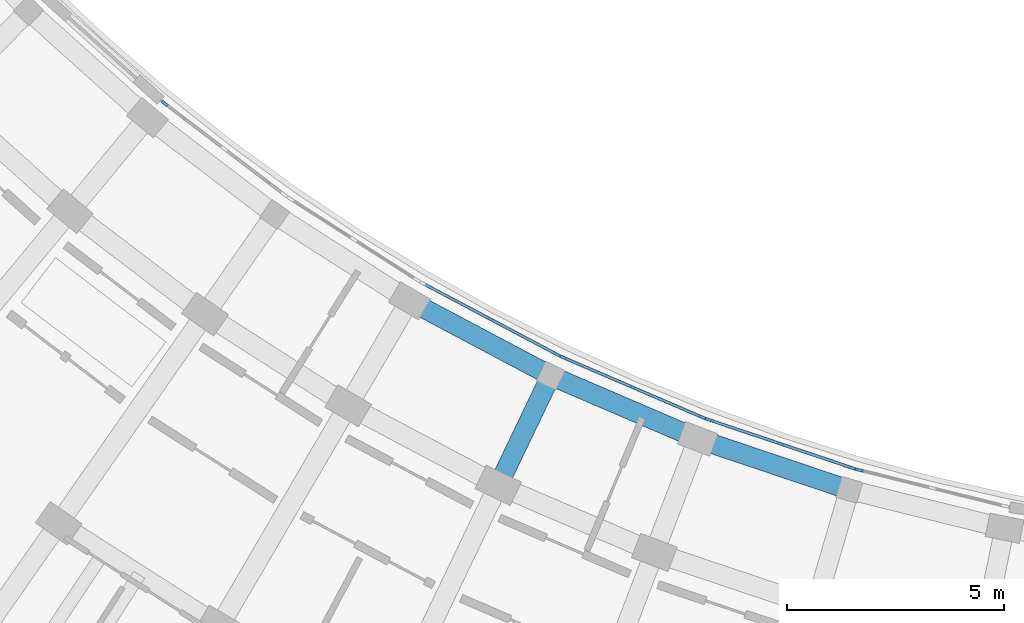
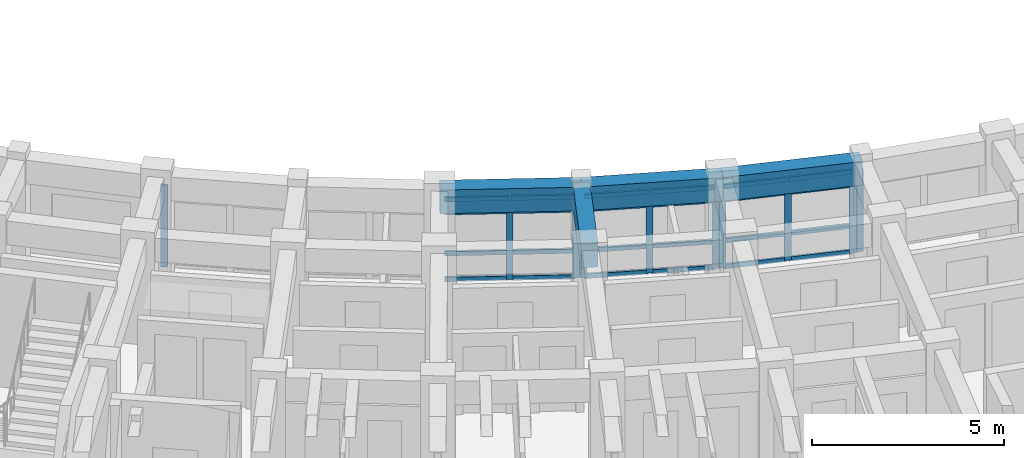
# One storey, part 33 of 83: 34 members, 4 beams, 5 elements without a shape of their own.
"""IFC4 building model written with IfcOpenShell, lengths in metres."""

from ifc_helpers import new_model, si_unit, direction, frame, origin, origin_2d, place, context, subcontext, project, spatial, rectangle, extrude, material, material_profile, profile_set, type_object, element, aggregate, save


model = new_model("IFC4")

# Units and contexts
model_context = context("Model", 3, precision=1e-05, world=origin(), true_north=direction((0.0, 1.0)))
body_context = subcontext(model_context, "Body", "Model", "MODEL_VIEW")
ifc_project = project(units=[si_unit("LENGTHUNIT", "METRE"), si_unit("AREAUNIT", "SQUARE_METRE"), si_unit("VOLUMEUNIT", "CUBIC_METRE"), si_unit("PLANEANGLEUNIT", "RADIAN"), si_unit("MASSUNIT", "GRAM", prefix="KILO")], contexts=[model_context])

# Site, building, storey
site_placement = place(None, origin())
site = spatial("IfcSite", under=ifc_project, at=site_placement, CompositionType="ELEMENT")
building_placement = place(site_placement, origin())
building = spatial("IfcBuilding", under=site, at=building_placement, Name="Zimvara Arc Housing Community", CompositionType="ELEMENT")
storey_placement = place(building_placement, frame((0.0, 0.0, 4.5)))
storey = spatial("IfcBuildingStorey", under=building, at=storey_placement, Name="L01", CompositionType="ELEMENT", Elevation=4.5)

# Beams
ifc_material_1 = material(Name="Concrete C40/50", Category="concrete")
ifc_material_profile_1 = material_profile(ifc_material_1, rectangle(XDim=0.449951171875, YDim=0.75, at=origin_2d()), Name="RC 450x750")
ifc_profile_set_1 = profile_set([ifc_material_profile_1], Name="Concrete C40/50")
beam_type = type_object("IfcBeamType", Name="BM-RC-450x750", PredefinedType="BEAM", material=ifc_profile_set_1)
for number, where, z_axis, x_axis, name in (
    (1, (103.229248046875, 70.895751953125, 2.985107421875), (0.883449220086, -0.468526920815, 0.0), (0.468526920815, 0.883449220086, 0.0), "bm:blkC:L01:chord:r0:b4"),
    (2, (106.484375, 69.16943359375, 2.985107421875), (0.918716071386, -0.394918700718, 0.0), (0.394918700718, 0.918716071386, 0.0), "bm:blkC:L01:chord:r0:b5"),
):
    element("IfcBeam", number, at=place(storey_placement, frame(where, z_axis=z_axis, x_axis=x_axis)), inside=storey, type_object=beam_type, Name=name, PredefinedType="BEAM", context=body_context, shape_type="SweptSolid", body=[
        extrude(rectangle(XDim=0.449951171875, YDim=0.75, at=origin_2d()), origin(), (0.0, 0.0, 1.0), 3.6845703125),
    ])
beam_1_placement = place(storey_placement, frame((109.869384765625, 67.71435546875, 2.985107421875), z_axis=(0.947865078275, -0.31867192124, 0.0), x_axis=(0.31867192124, 0.947865078275, 0.0)))
element("IfcBeam", 3, at=beam_1_placement, inside=storey, type_object=beam_type, Name="bm:blkC:L01:chord:r0:b6", PredefinedType="BEAM", context=body_context, shape_type="SweptSolid", body=[
    extrude(rectangle(XDim=0.449951171875, YDim=0.75, at=origin_2d()), origin(), (0.0, 0.0, 1.0), 3.684326171875),
])
beam_2_placement = place(storey_placement, frame((106.484375, 69.16943359375, 2.985107421875), z_axis=(-0.432118703138, -0.901816736593, 0.0), x_axis=(0.901816736593, -0.432118703138, 0.0)))
element("IfcBeam", 4, at=beam_2_placement, inside=storey, type_object=beam_type, Name="bm:blkC:L01:rad:b5:r01", PredefinedType="BEAM", context=body_context, shape_type="SweptSolid", body=[
    extrude(rectangle(XDim=0.449951171875, YDim=0.75, at=origin_2d()), origin(), (0.0, 0.0, 1.0), 2.800048828125),
])

# Curtain wall, member
ifc_material_2 = material(Name="Anodised Aluminium AW-6063", Category="aluminium")
curtain_wall_type_1 = type_object("IfcCurtainWallType", Name="CW-SYS-08", PredefinedType="USERDEFINED", material=ifc_material_2)
curtain_wall_1_placement = place(storey_placement, origin())
curtain_wall_1 = element("IfcCurtainWall", 5, at=curtain_wall_1_placement, inside=storey, type_object=curtain_wall_type_1, Name="cw:blkC:L01:in:b2", ObjectType="CURTAIN WALL", PredefinedType="USERDEFINED")
ifc_material_3 = material(Name="Anodised Aluminium AW-6063", Category="aluminium")
ifc_material_profile_2 = material_profile(ifc_material_3, rectangle(XDim=0.06494140625, YDim=0.179931640625, at=origin_2d()), Name="ALU 65x180")
ifc_profile_set_2 = profile_set([ifc_material_profile_2], Name="Anodised Aluminium AW-6063")
member_type_1 = type_object("IfcMemberType", Name="CWM-65x150", PredefinedType="MULLION", material=ifc_profile_set_2)
member_1_placement = place(storey_placement, frame((97.587646484375, 75.443603515625, 0.0), z_axis=(0.0, 0.0, 1.0), x_axis=(0.605988318533, 0.795473543119, 0.0)))
member_1 = element("IfcMember", 6, at=member_1_placement, type_object=member_type_1, Name="CW08 mullion 1", PredefinedType="MULLION", context=body_context, shape_type="SweptSolid", body=[
    extrude(rectangle(XDim=0.06494140625, YDim=0.179931640625, at=origin_2d()), origin(), (0.0, 0.0, 1.0), 2.60009765625),
])
aggregate(curtain_wall_1, [member_1])

# Curtain wall, members
ifc_material_4 = material(Name="Anodised Aluminium AW-6063", Category="aluminium")
curtain_wall_type_2 = type_object("IfcCurtainWallType", Name="CW-SYS-04", PredefinedType="USERDEFINED", material=ifc_material_4)
curtain_wall_2_placement = place(storey_placement, origin())
curtain_wall_2 = element("IfcCurtainWall", 7, at=curtain_wall_2_placement, inside=storey, type_object=curtain_wall_type_2, Name="cw:blkC:L01:in:b4", ObjectType="CURTAIN WALL", PredefinedType="USERDEFINED")
member_2_placement = place(storey_placement, frame((105.0908203125, 70.473876953125, 0.0), z_axis=(0.0, 0.0, 1.0), x_axis=(0.468544648573, 0.88343981815, 0.0)))
member_2 = element("IfcMember", 8, at=member_2_placement, type_object=member_type_1, Name="CW04 mullion 2", PredefinedType="MULLION", context=body_context, shape_type="SweptSolid", body=[
    extrude(rectangle(XDim=0.06494140625, YDim=0.179931640625, at=origin_2d()), origin(), (0.0, 0.0, 1.0), 2.60009765625),
])
member_3_placement = place(storey_placement, frame((106.61865234375, 69.66357421875, 0.0), z_axis=(0.0, 0.0, 1.0), x_axis=(0.468544648573, 0.88343981815, 0.0)))
member_3 = element("IfcMember", 9, at=member_3_placement, type_object=member_type_1, Name="CW04 mullion 3", PredefinedType="MULLION", context=body_context, shape_type="SweptSolid", body=[
    extrude(rectangle(XDim=0.06494140625, YDim=0.179931640625, at=origin_2d()), origin(), (0.0, 0.0, 1.0), 2.60009765625),
])

ifc_material_5 = material(Name="Anodised Aluminium AW-6063", Category="aluminium")
curtain_wall_type_3 = type_object("IfcCurtainWallType", Name="CW-SYS-06", PredefinedType="USERDEFINED", material=ifc_material_5)
curtain_wall_3_placement = place(storey_placement, origin())
curtain_wall_3 = element("IfcCurtainWall", 10, at=curtain_wall_3_placement, inside=storey, type_object=curtain_wall_type_3, Name="cw:blkC:L01:in:b5", ObjectType="CURTAIN WALL", PredefinedType="USERDEFINED")
member_4_placement = place(storey_placement, frame((106.785400390625, 69.583740234375, 0.0), z_axis=(0.0, 0.0, 1.0), x_axis=(0.394904493375, 0.918722178415, 0.0)))
member_4 = element("IfcMember", 11, at=member_4_placement, type_object=member_type_1, Name="CW06 mullion 1", PredefinedType="MULLION", context=body_context, shape_type="SweptSolid", body=[
    extrude(rectangle(XDim=0.06494140625, YDim=0.179931640625, at=origin_2d()), origin(), (0.0, 0.0, 1.0), 2.60009765625),
])
member_5_placement = place(storey_placement, frame((108.3740234375, 68.90087890625, 0.0), z_axis=(0.0, 0.0, 1.0), x_axis=(0.394904493375, 0.918722178415, 0.0)))
member_5 = element("IfcMember", 12, at=member_5_placement, type_object=member_type_1, Name="CW06 mullion 2", PredefinedType="MULLION", context=body_context, shape_type="SweptSolid", body=[
    extrude(rectangle(XDim=0.06494140625, YDim=0.179931640625, at=origin_2d()), origin(), (0.0, 0.0, 1.0), 2.60009765625),
])
member_6_placement = place(storey_placement, frame((109.962890625, 68.2177734375, 0.0), z_axis=(0.0, 0.0, 1.0), x_axis=(0.394904493375, 0.918722178415, 0.0)))
member_6 = element("IfcMember", 13, at=member_6_placement, type_object=member_type_1, Name="CW06 mullion 3", PredefinedType="MULLION", context=body_context, shape_type="SweptSolid", body=[
    extrude(rectangle(XDim=0.06494140625, YDim=0.179931640625, at=origin_2d()), origin(), (0.0, 0.0, 1.0), 2.60009765625),
])

curtain_wall_4_placement = place(storey_placement, origin())
curtain_wall_4 = element("IfcCurtainWall", 14, at=curtain_wall_4_placement, inside=storey, type_object=curtain_wall_type_1, Name="cw:blkC:L01:in:b6", ObjectType="CURTAIN WALL", PredefinedType="USERDEFINED")
member_7_placement = place(storey_placement, frame((110.135498046875, 68.15185546875, 0.0), z_axis=(0.0, 0.0, 1.0), x_axis=(0.318630249383, 0.94787908732, 0.0)))
member_7 = element("IfcMember", 15, at=member_7_placement, type_object=member_type_1, Name="CW08 mullion 1", PredefinedType="MULLION", context=body_context, shape_type="SweptSolid", body=[
    extrude(rectangle(XDim=0.06494140625, YDim=0.179931640625, at=origin_2d()), origin(), (0.0, 0.0, 1.0), 2.60009765625),
])
member_8_placement = place(storey_placement, frame((111.774658203125, 67.600830078125, 0.0), z_axis=(0.0, 0.0, 1.0), x_axis=(0.318630249383, 0.94787908732, 0.0)))
member_8 = element("IfcMember", 16, at=member_8_placement, type_object=member_type_1, Name="CW08 mullion 2", PredefinedType="MULLION", context=body_context, shape_type="SweptSolid", body=[
    extrude(rectangle(XDim=0.06494140625, YDim=0.179931640625, at=origin_2d()), origin(), (0.0, 0.0, 1.0), 2.60009765625),
])
member_9_placement = place(storey_placement, frame((113.413818359375, 67.0498046875, 0.0), z_axis=(0.0, 0.0, 1.0), x_axis=(0.318630249383, 0.94787908732, 0.0)))
member_9 = element("IfcMember", 17, at=member_9_placement, type_object=member_type_1, Name="CW08 mullion 3", PredefinedType="MULLION", context=body_context, shape_type="SweptSolid", body=[
    extrude(rectangle(XDim=0.06494140625, YDim=0.179931640625, at=origin_2d()), origin(), (0.0, 0.0, 1.0), 2.60009765625),
])

# Curtain wall, member
ifc_material_6 = material(Name="Anodised Aluminium AW-6063", Category="aluminium")
curtain_wall_type_4 = type_object("IfcCurtainWallType", Name="CW-SYS-02", PredefinedType="USERDEFINED", material=ifc_material_6)
curtain_wall_5_placement = place(storey_placement, origin())
curtain_wall_5 = element("IfcCurtainWall", 18, at=curtain_wall_5_placement, inside=storey, type_object=curtain_wall_type_4, Name="cw:blkC:L01:in:b7", ObjectType="CURTAIN WALL", PredefinedType="USERDEFINED")
member_10_placement = place(storey_placement, frame((113.59130859375, 66.998291015625, 0.0), z_axis=(0.0, 0.0, 1.0), x_axis=(0.240227815706, 0.970716537698, 0.0)))
member_10 = element("IfcMember", 19, at=member_10_placement, type_object=member_type_1, Name="CW02 mullion 1", PredefinedType="MULLION", context=body_context, shape_type="SweptSolid", body=[
    extrude(rectangle(XDim=0.06494140625, YDim=0.179931640625, at=origin_2d()), origin(), (0.0, 0.0, 1.0), 2.60009765625),
])
aggregate(curtain_wall_5, [member_10])

# Member
ifc_material_7 = material(Name="Anodised Aluminium AW-6063", Category="aluminium")
ifc_material_profile_3 = material_profile(ifc_material_7, rectangle(XDim=0.06494140625, YDim=0.139892578125, at=origin_2d()), Name="ALU 65x140")
ifc_profile_set_3 = profile_set([ifc_material_profile_3], Name="Anodised Aluminium AW-6063")
member_type_2 = type_object("IfcMemberType", Name="CWT-65x120", PredefinedType="USERDEFINED", material=ifc_profile_set_3)
member_11_placement = place(storey_placement, frame((103.591796875, 71.268798828125, 0.032470703125), z_axis=(0.883463021947, -0.468500895252, 0.0), x_axis=(0.468500895252, 0.883463021947, 0.0)))
member_11 = element("IfcMember", 20, at=member_11_placement, type_object=member_type_2, Name="CW04 transom 1.1", ObjectType="TRANSOM", PredefinedType="USERDEFINED", context=body_context, shape_type="SweptSolid", body=[
    extrude(rectangle(XDim=0.06494140625, YDim=0.139892578125, at=origin_2d()), origin(), (0.0, 0.0, 1.0), 1.664306640625),
])

member_12_placement = place(storey_placement, frame((103.591796875, 71.268798828125, 0.85009765625), z_axis=(0.883463021947, -0.468500895252, 0.0), x_axis=(0.468500895252, 0.883463021947, 0.0)))
member_12 = element("IfcMember", 21, at=member_12_placement, type_object=member_type_2, Name="CW04 transom 1.2", ObjectType="TRANSOM", PredefinedType="USERDEFINED", context=body_context, shape_type="SweptSolid", body=[
    extrude(rectangle(XDim=0.06494140625, YDim=0.139892578125, at=origin_2d()), origin(), (0.0, 0.0, 1.0), 1.664306640625),
])

member_13_placement = place(storey_placement, frame((103.591796875, 71.268798828125, 2.14990234375), z_axis=(0.883463021947, -0.468500895252, 0.0), x_axis=(0.468500895252, 0.883463021947, 0.0)))
member_13 = element("IfcMember", 22, at=member_13_placement, type_object=member_type_2, Name="CW04 transom 1.3", ObjectType="TRANSOM", PredefinedType="USERDEFINED", context=body_context, shape_type="SweptSolid", body=[
    extrude(rectangle(XDim=0.06494140625, YDim=0.139892578125, at=origin_2d()), origin(), (0.0, 0.0, 1.0), 1.664306640625),
])

member_14_placement = place(storey_placement, frame((103.591796875, 71.268798828125, 2.5673828125), z_axis=(0.883463021947, -0.468500895252, 0.0), x_axis=(0.468500895252, 0.883463021947, 0.0)))
member_14 = element("IfcMember", 23, at=member_14_placement, type_object=member_type_2, Name="CW04 transom 1.4", ObjectType="TRANSOM", PredefinedType="USERDEFINED", context=body_context, shape_type="SweptSolid", body=[
    extrude(rectangle(XDim=0.06494140625, YDim=0.139892578125, at=origin_2d()), origin(), (0.0, 0.0, 1.0), 1.664306640625),
])

member_15_placement = place(storey_placement, frame((105.11962890625, 70.45849609375, 0.032470703125), z_axis=(0.8834308201, -0.468561613982, 0.0), x_axis=(0.468561613982, 0.8834308201, 0.0)))
member_15 = element("IfcMember", 24, at=member_15_placement, type_object=member_type_2, Name="CW04 transom 2.1", ObjectType="TRANSOM", PredefinedType="USERDEFINED", context=body_context, shape_type="SweptSolid", body=[
    extrude(rectangle(XDim=0.06494140625, YDim=0.139892578125, at=origin_2d()), origin(), (0.0, 0.0, 1.0), 1.664306640625),
])

member_16_placement = place(storey_placement, frame((105.11962890625, 70.45849609375, 0.85009765625), z_axis=(0.8834308201, -0.468561613982, 0.0), x_axis=(0.468561613982, 0.8834308201, 0.0)))
member_16 = element("IfcMember", 25, at=member_16_placement, type_object=member_type_2, Name="CW04 transom 2.2", ObjectType="TRANSOM", PredefinedType="USERDEFINED", context=body_context, shape_type="SweptSolid", body=[
    extrude(rectangle(XDim=0.06494140625, YDim=0.139892578125, at=origin_2d()), origin(), (0.0, 0.0, 1.0), 1.664306640625),
])

member_17_placement = place(storey_placement, frame((105.11962890625, 70.45849609375, 2.14990234375), z_axis=(0.8834308201, -0.468561613982, 0.0), x_axis=(0.468561613982, 0.8834308201, 0.0)))
member_17 = element("IfcMember", 26, at=member_17_placement, type_object=member_type_2, Name="CW04 transom 2.3", ObjectType="TRANSOM", PredefinedType="USERDEFINED", context=body_context, shape_type="SweptSolid", body=[
    extrude(rectangle(XDim=0.06494140625, YDim=0.139892578125, at=origin_2d()), origin(), (0.0, 0.0, 1.0), 1.664306640625),
])

member_18_placement = place(storey_placement, frame((105.11962890625, 70.45849609375, 2.5673828125), z_axis=(0.8834308201, -0.468561613982, 0.0), x_axis=(0.468561613982, 0.8834308201, 0.0)))
member_18 = element("IfcMember", 27, at=member_18_placement, type_object=member_type_2, Name="CW04 transom 2.4", ObjectType="TRANSOM", PredefinedType="USERDEFINED", context=body_context, shape_type="SweptSolid", body=[
    extrude(rectangle(XDim=0.06494140625, YDim=0.139892578125, at=origin_2d()), origin(), (0.0, 0.0, 1.0), 1.664306640625),
])

aggregate(curtain_wall_2, [member_2, member_3, member_11, member_12, member_13, member_14, member_15, member_16, member_17, member_18])

member_19_placement = place(storey_placement, frame((106.815185546875, 69.57080078125, 0.032470703125), z_axis=(0.918727202972, -0.394892803832, 0.0), x_axis=(0.394892803832, 0.918727202972, 0.0)))
member_19 = element("IfcMember", 28, at=member_19_placement, type_object=member_type_2, Name="CW06 transom 1.1", ObjectType="TRANSOM", PredefinedType="USERDEFINED", context=body_context, shape_type="SweptSolid", body=[
    extrude(rectangle(XDim=0.06494140625, YDim=0.139892578125, at=origin_2d()), origin(), (0.0, 0.0, 1.0), 1.664306640625),
])

member_20_placement = place(storey_placement, frame((106.815185546875, 69.57080078125, 0.85009765625), z_axis=(0.918727202972, -0.394892803832, 0.0), x_axis=(0.394892803832, 0.918727202972, 0.0)))
member_20 = element("IfcMember", 29, at=member_20_placement, type_object=member_type_2, Name="CW06 transom 1.2", ObjectType="TRANSOM", PredefinedType="USERDEFINED", context=body_context, shape_type="SweptSolid", body=[
    extrude(rectangle(XDim=0.06494140625, YDim=0.139892578125, at=origin_2d()), origin(), (0.0, 0.0, 1.0), 1.664306640625),
])

member_21_placement = place(storey_placement, frame((106.815185546875, 69.57080078125, 2.14990234375), z_axis=(0.918727202972, -0.394892803832, 0.0), x_axis=(0.394892803832, 0.918727202972, 0.0)))
member_21 = element("IfcMember", 30, at=member_21_placement, type_object=member_type_2, Name="CW06 transom 1.3", ObjectType="TRANSOM", PredefinedType="USERDEFINED", context=body_context, shape_type="SweptSolid", body=[
    extrude(rectangle(XDim=0.06494140625, YDim=0.139892578125, at=origin_2d()), origin(), (0.0, 0.0, 1.0), 1.664306640625),
])

member_22_placement = place(storey_placement, frame((106.815185546875, 69.57080078125, 2.5673828125), z_axis=(0.918727202972, -0.394892803832, 0.0), x_axis=(0.394892803832, 0.918727202972, 0.0)))
member_22 = element("IfcMember", 31, at=member_22_placement, type_object=member_type_2, Name="CW06 transom 1.4", ObjectType="TRANSOM", PredefinedType="USERDEFINED", context=body_context, shape_type="SweptSolid", body=[
    extrude(rectangle(XDim=0.06494140625, YDim=0.139892578125, at=origin_2d()), origin(), (0.0, 0.0, 1.0), 1.664306640625),
])

member_23_placement = place(storey_placement, frame((108.40380859375, 68.887939453125, 0.032470703125), z_axis=(0.918727202972, -0.394892803832, 0.0), x_axis=(0.394892803832, 0.918727202972, 0.0)))
member_23 = element("IfcMember", 32, at=member_23_placement, type_object=member_type_2, Name="CW06 transom 2.1", ObjectType="TRANSOM", PredefinedType="USERDEFINED", context=body_context, shape_type="SweptSolid", body=[
    extrude(rectangle(XDim=0.06494140625, YDim=0.139892578125, at=origin_2d()), origin(), (0.0, 0.0, 1.0), 1.664306640625),
])

member_24_placement = place(storey_placement, frame((108.40380859375, 68.887939453125, 0.85009765625), z_axis=(0.918727202972, -0.394892803832, 0.0), x_axis=(0.394892803832, 0.918727202972, 0.0)))
member_24 = element("IfcMember", 33, at=member_24_placement, type_object=member_type_2, Name="CW06 transom 2.2", ObjectType="TRANSOM", PredefinedType="USERDEFINED", context=body_context, shape_type="SweptSolid", body=[
    extrude(rectangle(XDim=0.06494140625, YDim=0.139892578125, at=origin_2d()), origin(), (0.0, 0.0, 1.0), 1.664306640625),
])

member_25_placement = place(storey_placement, frame((108.40380859375, 68.887939453125, 2.14990234375), z_axis=(0.918727202972, -0.394892803832, 0.0), x_axis=(0.394892803832, 0.918727202972, 0.0)))
member_25 = element("IfcMember", 34, at=member_25_placement, type_object=member_type_2, Name="CW06 transom 2.3", ObjectType="TRANSOM", PredefinedType="USERDEFINED", context=body_context, shape_type="SweptSolid", body=[
    extrude(rectangle(XDim=0.06494140625, YDim=0.139892578125, at=origin_2d()), origin(), (0.0, 0.0, 1.0), 1.664306640625),
])

member_26_placement = place(storey_placement, frame((108.40380859375, 68.887939453125, 2.5673828125), z_axis=(0.918727202972, -0.394892803832, 0.0), x_axis=(0.394892803832, 0.918727202972, 0.0)))
member_26 = element("IfcMember", 35, at=member_26_placement, type_object=member_type_2, Name="CW06 transom 2.4", ObjectType="TRANSOM", PredefinedType="USERDEFINED", context=body_context, shape_type="SweptSolid", body=[
    extrude(rectangle(XDim=0.06494140625, YDim=0.139892578125, at=origin_2d()), origin(), (0.0, 0.0, 1.0), 1.664306640625),
])

aggregate(curtain_wall_3, [member_4, member_5, member_6, member_19, member_20, member_21, member_22, member_23, member_24, member_25, member_26])

member_27_placement = place(storey_placement, frame((110.166259765625, 68.1416015625, 0.032470703125), z_axis=(0.947888214723, -0.318603095385, 0.0), x_axis=(0.318603095385, 0.947888214723, 0.0)))
member_27 = element("IfcMember", 36, at=member_27_placement, type_object=member_type_2, Name="CW08 transom 1.1", ObjectType="TRANSOM", PredefinedType="USERDEFINED", context=body_context, shape_type="SweptSolid", body=[
    extrude(rectangle(XDim=0.06494140625, YDim=0.139892578125, at=origin_2d()), origin(), (0.0, 0.0, 1.0), 1.664306640625),
])

member_28_placement = place(storey_placement, frame((110.166259765625, 68.1416015625, 0.85009765625), z_axis=(0.947888214723, -0.318603095385, 0.0), x_axis=(0.318603095385, 0.947888214723, 0.0)))
member_28 = element("IfcMember", 37, at=member_28_placement, type_object=member_type_2, Name="CW08 transom 1.2", ObjectType="TRANSOM", PredefinedType="USERDEFINED", context=body_context, shape_type="SweptSolid", body=[
    extrude(rectangle(XDim=0.06494140625, YDim=0.139892578125, at=origin_2d()), origin(), (0.0, 0.0, 1.0), 1.664306640625),
])

member_29_placement = place(storey_placement, frame((110.166259765625, 68.1416015625, 2.14990234375), z_axis=(0.947888214723, -0.318603095385, 0.0), x_axis=(0.318603095385, 0.947888214723, 0.0)))
member_29 = element("IfcMember", 38, at=member_29_placement, type_object=member_type_2, Name="CW08 transom 1.3", ObjectType="TRANSOM", PredefinedType="USERDEFINED", context=body_context, shape_type="SweptSolid", body=[
    extrude(rectangle(XDim=0.06494140625, YDim=0.139892578125, at=origin_2d()), origin(), (0.0, 0.0, 1.0), 1.664306640625),
])

member_30_placement = place(storey_placement, frame((110.166259765625, 68.1416015625, 2.5673828125), z_axis=(0.947888214723, -0.318603095385, 0.0), x_axis=(0.318603095385, 0.947888214723, 0.0)))
member_30 = element("IfcMember", 39, at=member_30_placement, type_object=member_type_2, Name="CW08 transom 1.4", ObjectType="TRANSOM", PredefinedType="USERDEFINED", context=body_context, shape_type="SweptSolid", body=[
    extrude(rectangle(XDim=0.06494140625, YDim=0.139892578125, at=origin_2d()), origin(), (0.0, 0.0, 1.0), 1.664306640625),
])

member_31_placement = place(storey_placement, frame((111.805419921875, 67.590576171875, 0.032470703125), z_axis=(0.947888214723, -0.318603095385, 0.0), x_axis=(0.318603095385, 0.947888214723, 0.0)))
member_31 = element("IfcMember", 40, at=member_31_placement, type_object=member_type_2, Name="CW08 transom 2.1", ObjectType="TRANSOM", PredefinedType="USERDEFINED", context=body_context, shape_type="SweptSolid", body=[
    extrude(rectangle(XDim=0.06494140625, YDim=0.139892578125, at=origin_2d()), origin(), (0.0, 0.0, 1.0), 1.664306640625),
])

member_32_placement = place(storey_placement, frame((111.805419921875, 67.590576171875, 0.85009765625), z_axis=(0.947888214723, -0.318603095385, 0.0), x_axis=(0.318603095385, 0.947888214723, 0.0)))
member_32 = element("IfcMember", 41, at=member_32_placement, type_object=member_type_2, Name="CW08 transom 2.2", ObjectType="TRANSOM", PredefinedType="USERDEFINED", context=body_context, shape_type="SweptSolid", body=[
    extrude(rectangle(XDim=0.06494140625, YDim=0.139892578125, at=origin_2d()), origin(), (0.0, 0.0, 1.0), 1.664306640625),
])

member_33_placement = place(storey_placement, frame((111.805419921875, 67.590576171875, 2.14990234375), z_axis=(0.947888214723, -0.318603095385, 0.0), x_axis=(0.318603095385, 0.947888214723, 0.0)))
member_33 = element("IfcMember", 42, at=member_33_placement, type_object=member_type_2, Name="CW08 transom 2.3", ObjectType="TRANSOM", PredefinedType="USERDEFINED", context=body_context, shape_type="SweptSolid", body=[
    extrude(rectangle(XDim=0.06494140625, YDim=0.139892578125, at=origin_2d()), origin(), (0.0, 0.0, 1.0), 1.664306640625),
])

member_34_placement = place(storey_placement, frame((111.805419921875, 67.590576171875, 2.5673828125), z_axis=(0.947888214723, -0.318603095385, 0.0), x_axis=(0.318603095385, 0.947888214723, 0.0)))
member_34 = element("IfcMember", 43, at=member_34_placement, type_object=member_type_2, Name="CW08 transom 2.4", ObjectType="TRANSOM", PredefinedType="USERDEFINED", context=body_context, shape_type="SweptSolid", body=[
    extrude(rectangle(XDim=0.06494140625, YDim=0.139892578125, at=origin_2d()), origin(), (0.0, 0.0, 1.0), 1.664306640625),
])

aggregate(curtain_wall_4, [member_7, member_8, member_9, member_27, member_28, member_29, member_30, member_31, member_32, member_33, member_34])

save(model, "model.ifc")
